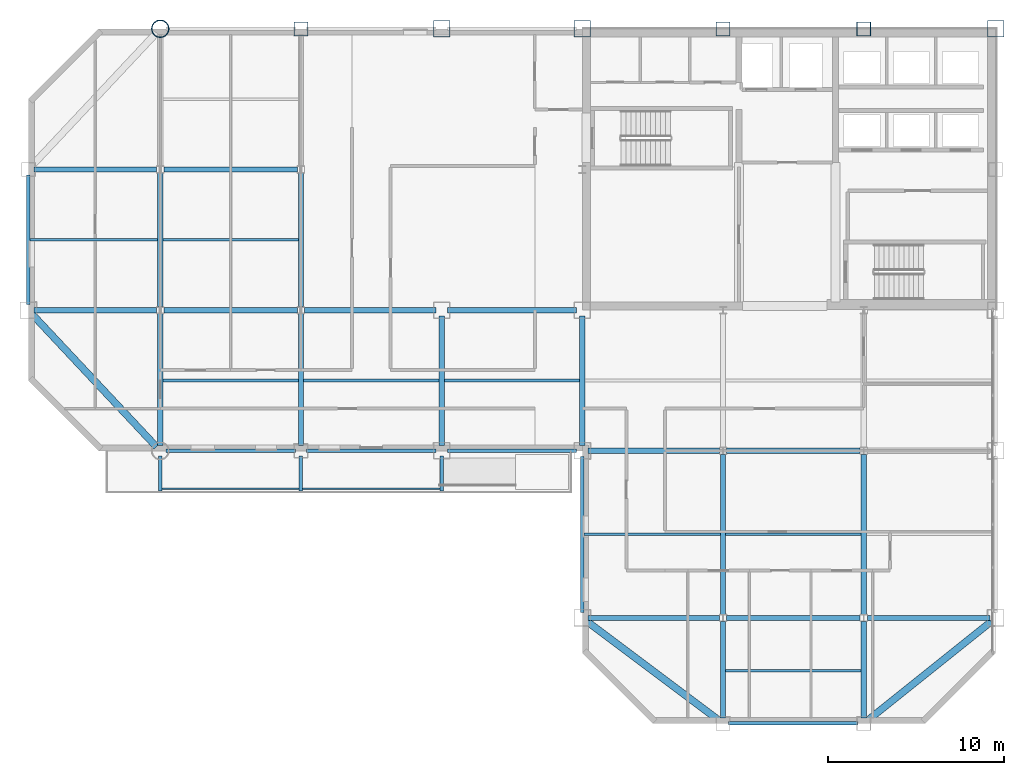
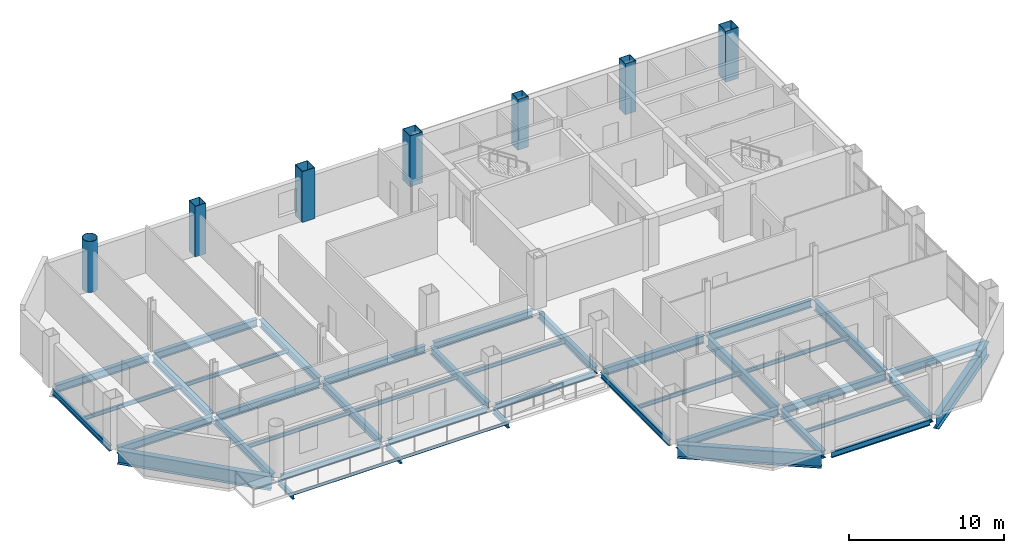
# One storey, part 3 of 12: 43 beams, 7 columns.
"""IFC4 building model written with IfcOpenShell, lengths in metres."""

from ifc_helpers import new_model, si_unit, direction, frame, origin, origin_2d, place, context, subcontext, project, spatial, hollow_rectangle, hollow_circle, i_section, extrude, material, material_profile, profile_set, type_object, element, save


model = new_model("IFC4")

# Units and contexts
model_context = context("Model", 3, precision=1e-05, world=origin(), true_north=direction((0.0, 1.0)))
body_context = subcontext(model_context, "Body", "Model", "MODEL_VIEW")
ifc_project = project(units=[si_unit("LENGTHUNIT", "METRE"), si_unit("AREAUNIT", "SQUARE_METRE"), si_unit("VOLUMEUNIT", "CUBIC_METRE"), si_unit("PLANEANGLEUNIT", "RADIAN"), si_unit("MASSUNIT", "GRAM", prefix="KILO")], contexts=[model_context])

# Site, building, storey
site_placement = place(None, origin())
site = spatial("IfcSite", under=ifc_project, at=site_placement, CompositionType="ELEMENT")
building_placement = place(site_placement, origin())
building = spatial("IfcBuilding", under=site, at=building_placement, Name="Qianrong Seaharbour Tower", CompositionType="ELEMENT")
storey_placement = place(building_placement, frame((0.0, 0.0, 205.800048828125)))
storey = spatial("IfcBuildingStorey", under=building, at=storey_placement, Name="L49", CompositionType="ELEMENT", Elevation=205.800048828125)

# Columns
ifc_material_1 = material(Name="Structural steel SN490B", Category="steel")
ifc_material_profile_1 = material_profile(ifc_material_1, hollow_rectangle(XDim=0.949951171875, YDim=0.949951171875, WallThickness=0.035888671875, at=origin_2d()), Name="BOX950x950x36")
ifc_profile_set_1 = profile_set([ifc_material_profile_1], Name="Structural steel SN490B")
column_type_1 = type_object("IfcColumnType", Name="COL-CFT-950", PredefinedType="COLUMN", material=ifc_profile_set_1)
for number, where, z_axis, x_axis, name in (
    (1, (32.5, 52.0, 0.0), (0.0, 0.0, 1.0), (1.0, 0.0, 0.0), "L49 Column MC-4 at G5/GH"),
    (2, (40.5, 52.0, 0.0), (0.0, 0.0, 1.0), (1.0, 0.0, 0.0), "L49 Column MC-4 at G6/GH"),
    (3, (64.0, 52.0, 0.0), (0.0, 0.0, 1.0), (1.0, 0.0, 0.0), "L49 Column MC-4 at G9/GH"),
):
    element("IfcColumn", number, at=place(storey_placement, frame(where, z_axis=z_axis, x_axis=x_axis)), inside=storey, type_object=column_type_1, Name=name, PredefinedType="COLUMN", context=body_context, shape_type="SweptSolid", body=[
        extrude(hollow_rectangle(XDim=0.949951171875, YDim=0.949951171875, WallThickness=0.035888671875, at=origin_2d()), origin(), (0.0, 0.0, 1.0), 4.0),
    ])
ifc_material_profile_2 = material_profile(ifc_material_1, hollow_circle(Radius=0.5, WallThickness=0.035888671875, at=origin_2d()), Name="CHS1000x36")
ifc_profile_set_2 = profile_set([ifc_material_profile_2], Name="Structural steel SN490B")
column_type_2 = type_object("IfcColumnType", Name="COL-CHS-1000", PredefinedType="COLUMN", material=ifc_profile_set_2)
column_placement = place(storey_placement, frame((16.5, 52.0, 0.0), z_axis=(0.0, 0.0, 1.0), x_axis=(1.0, 0.0, 0.0)))
element("IfcColumn", 4, at=column_placement, inside=storey, type_object=column_type_2, Name="L49 Column CC-2 at G3/GH", PredefinedType="COLUMN", context=body_context, shape_type="SweptSolid", body=[
    extrude(hollow_circle(Radius=0.5, WallThickness=0.035888671875, at=origin_2d()), origin(), (0.0, 0.0, 1.0), 4.0),
])
ifc_material_profile_3 = material_profile(ifc_material_1, hollow_rectangle(XDim=0.800048828125, YDim=0.800048828125, WallThickness=0.031982421875, at=origin_2d()), Name="BOX800x800x32")
ifc_profile_set_3 = profile_set([ifc_material_profile_3], Name="Structural steel SN490B")
column_type_3 = type_object("IfcColumnType", Name="COL-PER-800", PredefinedType="COLUMN", material=ifc_profile_set_3)
for number, where, z_axis, x_axis, name in (
    (5, (24.5, 52.0, 0.0), (0.0, 0.0, 1.0), (1.0, 0.0, 0.0), "L49 Column PC-3 at G4/GH"),
    (6, (48.5, 52.0, 0.0), (0.0, 0.0, 1.0), (1.0, 0.0, 0.0), "L49 Column PC-3 at G7/GH"),
    (7, (56.5, 52.0, 0.0), (0.0, 0.0, 1.0), (1.0, 0.0, 0.0), "L49 Column PC-3 at G8/GH"),
):
    element("IfcColumn", number, at=place(storey_placement, frame(where, z_axis=z_axis, x_axis=x_axis)), inside=storey, type_object=column_type_3, Name=name, PredefinedType="COLUMN", context=body_context, shape_type="SweptSolid", body=[
        extrude(hollow_rectangle(XDim=0.800048828125, YDim=0.800048828125, WallThickness=0.031982421875, at=origin_2d()), origin(), (0.0, 0.0, 1.0), 4.0),
    ])

# Beams
ifc_material_profile_4 = material_profile(ifc_material_1, i_section(OverallWidth=0.300048828125, OverallDepth=0.587890625, WebThickness=0.011962890625, FlangeThickness=0.02001953125, FilletRadius=0.02392578125, at=origin_2d()), Name="H588x300x12x20")
ifc_profile_set_4 = profile_set([ifc_material_profile_4], Name="Structural steel SN490B")
beam_type_1 = type_object("IfcBeamType", Name="BM-G-588", PredefinedType="BEAM", material=ifc_profile_set_4)
beam_1_placement = place(storey_placement, frame((40.820068359375, 18.5, -0.51904296875), z_axis=(1.0, 0.0, 0.0), x_axis=(0.0, 1.0, 0.0)))
element("IfcBeam", 8, at=beam_1_placement, inside=storey, type_object=beam_type_1, Name="L49 Primary Girder GD G6-G7", PredefinedType="BEAM", context=body_context, shape_type="SweptSolid", body=[
    extrude(i_section(OverallWidth=0.300048828125, OverallDepth=0.587890625, WebThickness=0.011962890625, FlangeThickness=0.02001953125, FilletRadius=0.02392578125, at=origin_2d()), origin(), (0.0, 0.0, 1.0), 7.47998046875),
])
beam_2_placement = place(storey_placement, frame((48.699951171875, 18.5, -0.51904296875), z_axis=(1.0, 0.0, 0.0), x_axis=(0.0, 1.0, 0.0)))
element("IfcBeam", 9, at=beam_2_placement, inside=storey, type_object=beam_type_1, Name="L49 Primary Girder GD G7-G8", PredefinedType="BEAM", context=body_context, shape_type="SweptSolid", body=[
    extrude(i_section(OverallWidth=0.300048828125, OverallDepth=0.587890625, WebThickness=0.011962890625, FlangeThickness=0.02001953125, FilletRadius=0.02392578125, at=origin_2d()), origin(), (0.0, 0.0, 1.0), 7.60009765625),
])
beam_3_placement = place(storey_placement, frame((56.699951171875, 18.5, -0.51904296875), z_axis=(1.0, 0.0, 0.0), x_axis=(0.0, 1.0, 0.0)))
element("IfcBeam", 10, at=beam_3_placement, inside=storey, type_object=beam_type_1, Name="L49 Primary Girder GD G8-G9", PredefinedType="BEAM", context=body_context, shape_type="SweptSolid", body=[
    extrude(i_section(OverallWidth=0.300048828125, OverallDepth=0.587890625, WebThickness=0.011962890625, FlangeThickness=0.02001953125, FilletRadius=0.02392578125, at=origin_2d()), origin(), (0.0, 0.0, 1.0), 6.97998046875),
])
beam_4_placement = place(storey_placement, frame((40.820068359375, 28.0, -0.51904296875), z_axis=(1.0, 0.0, 0.0), x_axis=(0.0, 1.0, 0.0)))
element("IfcBeam", 11, at=beam_4_placement, inside=storey, type_object=beam_type_1, Name="L49 Primary Girder GE G6-G7", PredefinedType="BEAM", context=body_context, shape_type="SweptSolid", body=[
    extrude(i_section(OverallWidth=0.300048828125, OverallDepth=0.587890625, WebThickness=0.011962890625, FlangeThickness=0.02001953125, FilletRadius=0.02392578125, at=origin_2d()), origin(), (0.0, 0.0, 1.0), 7.47998046875),
])
beam_5_placement = place(storey_placement, frame((48.699951171875, 28.0, -0.51904296875), z_axis=(1.0, 0.0, 0.0), x_axis=(0.0, 1.0, 0.0)))
element("IfcBeam", 12, at=beam_5_placement, inside=storey, type_object=beam_type_1, Name="L49 Primary Girder GE G7-G8", PredefinedType="BEAM", context=body_context, shape_type="SweptSolid", body=[
    extrude(i_section(OverallWidth=0.300048828125, OverallDepth=0.587890625, WebThickness=0.011962890625, FlangeThickness=0.02001953125, FilletRadius=0.02392578125, at=origin_2d()), origin(), (0.0, 0.0, 1.0), 7.60009765625),
])
beam_6_placement = place(storey_placement, frame((9.320068359375, 36.0, -0.51904296875), z_axis=(1.0, 0.0, 0.0), x_axis=(0.0, 1.0, 0.0)))
element("IfcBeam", 13, at=beam_6_placement, inside=storey, type_object=beam_type_1, Name="L49 Primary Girder GF G2-G3", PredefinedType="BEAM", context=body_context, shape_type="SweptSolid", body=[
    extrude(i_section(OverallWidth=0.300048828125, OverallDepth=0.587890625, WebThickness=0.011962890625, FlangeThickness=0.02001953125, FilletRadius=0.02392578125, at=origin_2d()), origin(), (0.0, 0.0, 1.0), 6.97998046875),
])
beam_7_placement = place(storey_placement, frame((16.699951171875, 36.0, -0.51904296875), z_axis=(1.0, 0.0, 0.0), x_axis=(0.0, 1.0, 0.0)))
element("IfcBeam", 14, at=beam_7_placement, inside=storey, type_object=beam_type_1, Name="L49 Primary Girder GF G3-G4", PredefinedType="BEAM", context=body_context, shape_type="SweptSolid", body=[
    extrude(i_section(OverallWidth=0.300048828125, OverallDepth=0.587890625, WebThickness=0.011962890625, FlangeThickness=0.02001953125, FilletRadius=0.02392578125, at=origin_2d()), origin(), (0.0, 0.0, 1.0), 7.60009765625),
])
beam_8_placement = place(storey_placement, frame((24.699951171875, 36.0, -0.51904296875), z_axis=(1.0, 0.0, 0.0), x_axis=(0.0, 1.0, 0.0)))
element("IfcBeam", 15, at=beam_8_placement, inside=storey, type_object=beam_type_1, Name="L49 Primary Girder GF G4-G5", PredefinedType="BEAM", context=body_context, shape_type="SweptSolid", body=[
    extrude(i_section(OverallWidth=0.300048828125, OverallDepth=0.587890625, WebThickness=0.011962890625, FlangeThickness=0.02001953125, FilletRadius=0.02392578125, at=origin_2d()), origin(), (0.0, 0.0, 1.0), 7.47998046875),
])
beam_9_placement = place(storey_placement, frame((32.820068359375, 36.0, -0.51904296875), z_axis=(1.0, 0.0, 0.0), x_axis=(0.0, 1.0, 0.0)))
element("IfcBeam", 16, at=beam_9_placement, inside=storey, type_object=beam_type_1, Name="L49 Primary Girder GF G5-G6", PredefinedType="BEAM", context=body_context, shape_type="SweptSolid", body=[
    extrude(i_section(OverallWidth=0.300048828125, OverallDepth=0.587890625, WebThickness=0.011962890625, FlangeThickness=0.02001953125, FilletRadius=0.02392578125, at=origin_2d()), origin(), (0.0, 0.0, 1.0), 7.35986328125),
])
beam_10_placement = place(storey_placement, frame((9.320068359375, 44.0, -0.51904296875), z_axis=(1.0, 0.0, 0.0), x_axis=(0.0, 1.0, 0.0)))
element("IfcBeam", 17, at=beam_10_placement, inside=storey, type_object=beam_type_1, Name="L49 Primary Girder GG G2-G3", PredefinedType="BEAM", context=body_context, shape_type="SweptSolid", body=[
    extrude(i_section(OverallWidth=0.300048828125, OverallDepth=0.587890625, WebThickness=0.011962890625, FlangeThickness=0.02001953125, FilletRadius=0.02392578125, at=origin_2d()), origin(), (0.0, 0.0, 1.0), 6.97998046875),
])
beam_11_placement = place(storey_placement, frame((16.699951171875, 44.0, -0.51904296875), z_axis=(1.0, 0.0, 0.0), x_axis=(0.0, 1.0, 0.0)))
element("IfcBeam", 18, at=beam_11_placement, inside=storey, type_object=beam_type_1, Name="L49 Primary Girder GG G3-G4", PredefinedType="BEAM", context=body_context, shape_type="SweptSolid", body=[
    extrude(i_section(OverallWidth=0.300048828125, OverallDepth=0.587890625, WebThickness=0.011962890625, FlangeThickness=0.02001953125, FilletRadius=0.02392578125, at=origin_2d()), origin(), (0.0, 0.0, 1.0), 7.60009765625),
])
beam_12_placement = place(storey_placement, frame((16.5, 28.320068359375, -0.51904296875), z_axis=(0.0, 1.0, 0.0), x_axis=(-1.0, 0.0, 0.0)))
element("IfcBeam", 19, at=beam_12_placement, inside=storey, type_object=beam_type_1, Name="L49 Primary Girder G3 GE-GF", PredefinedType="BEAM", context=body_context, shape_type="SweptSolid", body=[
    extrude(i_section(OverallWidth=0.300048828125, OverallDepth=0.587890625, WebThickness=0.011962890625, FlangeThickness=0.02001953125, FilletRadius=0.02392578125, at=origin_2d()), origin(), (0.0, 0.0, 1.0), 7.47998046875),
])
beam_13_placement = place(storey_placement, frame((16.5, 36.199951171875, -0.51904296875), z_axis=(0.0, 1.0, 0.0), x_axis=(-1.0, 0.0, 0.0)))
element("IfcBeam", 20, at=beam_13_placement, inside=storey, type_object=beam_type_1, Name="L49 Primary Girder G3 GF-GG", PredefinedType="BEAM", context=body_context, shape_type="SweptSolid", body=[
    extrude(i_section(OverallWidth=0.300048828125, OverallDepth=0.587890625, WebThickness=0.011962890625, FlangeThickness=0.02001953125, FilletRadius=0.02392578125, at=origin_2d()), origin(), (0.0, 0.0, 1.0), 7.60009765625),
])
beam_14_placement = place(storey_placement, frame((24.5, 28.320068359375, -0.51904296875), z_axis=(0.0, 1.0, 0.0), x_axis=(-1.0, 0.0, 0.0)))
element("IfcBeam", 21, at=beam_14_placement, inside=storey, type_object=beam_type_1, Name="L49 Primary Girder G4 GE-GF", PredefinedType="BEAM", context=body_context, shape_type="SweptSolid", body=[
    extrude(i_section(OverallWidth=0.300048828125, OverallDepth=0.587890625, WebThickness=0.011962890625, FlangeThickness=0.02001953125, FilletRadius=0.02392578125, at=origin_2d()), origin(), (0.0, 0.0, 1.0), 7.47998046875),
])
beam_15_placement = place(storey_placement, frame((24.5, 36.199951171875, -0.51904296875), z_axis=(0.0, 1.0, 0.0), x_axis=(-1.0, 0.0, 0.0)))
element("IfcBeam", 22, at=beam_15_placement, inside=storey, type_object=beam_type_1, Name="L49 Primary Girder G4 GF-GG", PredefinedType="BEAM", context=body_context, shape_type="SweptSolid", body=[
    extrude(i_section(OverallWidth=0.300048828125, OverallDepth=0.587890625, WebThickness=0.011962890625, FlangeThickness=0.02001953125, FilletRadius=0.02392578125, at=origin_2d()), origin(), (0.0, 0.0, 1.0), 7.60009765625),
])
for number, where, z_axis, x_axis, name in (
    (23, (32.5, 28.320068359375, -0.51904296875), (0.0, 1.0, 0.0), (-1.0, 0.0, 0.0), "L49 Primary Girder G5 GE-GF"),
    (24, (40.5, 28.320068359375, -0.51904296875), (0.0, 1.0, 0.0), (-1.0, 0.0, 0.0), "L49 Primary Girder G6 GE-GF"),
):
    element("IfcBeam", number, at=place(storey_placement, frame(where, z_axis=z_axis, x_axis=x_axis)), inside=storey, type_object=beam_type_1, Name=name, PredefinedType="BEAM", context=body_context, shape_type="SweptSolid", body=[
        extrude(i_section(OverallWidth=0.300048828125, OverallDepth=0.587890625, WebThickness=0.011962890625, FlangeThickness=0.02001953125, FilletRadius=0.02392578125, at=origin_2d()), origin(), (0.0, 0.0, 1.0), 7.35986328125),
    ])
for number, where, z_axis, x_axis, name in (
    (25, (48.5, 12.820068359375, -0.51904296875), (0.0, 1.0, 0.0), (-1.0, 0.0, 0.0), "L49 Primary Girder G7 GC-GD"),
    (26, (56.5, 12.820068359375, -0.51904296875), (0.0, 1.0, 0.0), (-1.0, 0.0, 0.0), "L49 Primary Girder G8 GC-GD"),
):
    element("IfcBeam", number, at=place(storey_placement, frame(where, z_axis=z_axis, x_axis=x_axis)), inside=storey, type_object=beam_type_1, Name=name, PredefinedType="BEAM", context=body_context, shape_type="SweptSolid", body=[
        extrude(i_section(OverallWidth=0.300048828125, OverallDepth=0.587890625, WebThickness=0.011962890625, FlangeThickness=0.02001953125, FilletRadius=0.02392578125, at=origin_2d()), origin(), (0.0, 0.0, 1.0), 5.47998046875),
    ])
ifc_material_profile_5 = material_profile(ifc_material_1, i_section(OverallWidth=0.300048828125, OverallDepth=0.800048828125, WebThickness=0.013916015625, FlangeThickness=0.02587890625, FilletRadius=0.028076171875, at=origin_2d()), Name="H800x300x14x26")
ifc_profile_set_5 = profile_set([ifc_material_profile_5], Name="Structural steel SN490B")
beam_type_2 = type_object("IfcBeamType", Name="BM-G-800", PredefinedType="BEAM", material=ifc_profile_set_5)
for number, where, z_axis, x_axis, name in (
    (27, (48.5, 18.699951171875, -0.625), (0.0, 1.0, 0.0), (-1.0, 0.0, 0.0), "L49 Primary Girder G7 GD-GE"),
    (28, (56.5, 18.699951171875, -0.625), (0.0, 1.0, 0.0), (-1.0, 0.0, 0.0), "L49 Primary Girder G8 GD-GE"),
):
    element("IfcBeam", number, at=place(storey_placement, frame(where, z_axis=z_axis, x_axis=x_axis)), inside=storey, type_object=beam_type_2, Name=name, PredefinedType="BEAM", context=body_context, shape_type="SweptSolid", body=[
        extrude(i_section(OverallWidth=0.300048828125, OverallDepth=0.800048828125, WebThickness=0.013916015625, FlangeThickness=0.02587890625, FilletRadius=0.028076171875, at=origin_2d()), origin(), (0.0, 0.0, 1.0), 9.10009765625),
    ])
ifc_material_2 = material(Name="Structural steel SN400B", Category="steel")
ifc_material_profile_6 = material_profile(ifc_material_2, i_section(OverallWidth=0.14990234375, OverallDepth=0.300048828125, WebThickness=0.006591796875, FlangeThickness=0.009033203125, FilletRadius=0.012939453125, at=origin_2d()), Name="H300x150x6.5x9")
ifc_profile_set_6 = profile_set([ifc_material_profile_6], Name="Structural steel SN400B")
beam_type_3 = type_object("IfcBeamType", Name="BM-J-300", PredefinedType="JOIST", material=ifc_profile_set_6)
beam_16_placement = place(storey_placement, frame((9.10009765625, 40.0, -0.375), z_axis=(1.0, 0.0, 0.0), x_axis=(0.0, 1.0, 0.0)))
element("IfcBeam", 29, at=beam_16_placement, inside=storey, type_object=beam_type_3, Name="L49 Composite Floor Joist G2-G3/GF-GG", PredefinedType="JOIST", context=body_context, shape_type="SweptSolid", body=[
    extrude(i_section(OverallWidth=0.14990234375, OverallDepth=0.300048828125, WebThickness=0.006591796875, FlangeThickness=0.009033203125, FilletRadius=0.012939453125, at=origin_2d()), origin(), (0.0, 0.0, 1.0), 7.25),
])
for number, where, z_axis, x_axis, name in (
    (30, (16.64990234375, 32.0, -0.375), (1.0, 0.0, 0.0), (0.0, 1.0, 0.0), "L49 Composite Floor Joist G3-G4/GE-GF"),
    (31, (16.64990234375, 40.0, -0.375), (1.0, 0.0, 0.0), (0.0, 1.0, 0.0), "L49 Composite Floor Joist G3-G4/GF-GG"),
    (32, (24.64990234375, 32.0, -0.375), (1.0, 0.0, 0.0), (0.0, 1.0, 0.0), "L49 Composite Floor Joist G4-G5/GE-GF"),
    (33, (32.64990234375, 32.0, -0.375), (1.0, 0.0, 0.0), (0.0, 1.0, 0.0), "L49 Composite Floor Joist G5-G6/GE-GF"),
):
    element("IfcBeam", number, at=place(storey_placement, frame(where, z_axis=z_axis, x_axis=x_axis)), inside=storey, type_object=beam_type_3, Name=name, PredefinedType="JOIST", context=body_context, shape_type="SweptSolid", body=[
        extrude(i_section(OverallWidth=0.14990234375, OverallDepth=0.300048828125, WebThickness=0.006591796875, FlangeThickness=0.009033203125, FilletRadius=0.012939453125, at=origin_2d()), origin(), (0.0, 0.0, 1.0), 7.7001953125),
    ])
beam_17_placement = place(storey_placement, frame((40.60009765625, 23.25, -0.375), z_axis=(1.0, 0.0, 0.0), x_axis=(0.0, 1.0, 0.0)))
element("IfcBeam", 34, at=beam_17_placement, inside=storey, type_object=beam_type_3, Name="L49 Composite Floor Joist G6-G7/GD-GE", PredefinedType="JOIST", context=body_context, shape_type="SweptSolid", body=[
    extrude(i_section(OverallWidth=0.14990234375, OverallDepth=0.300048828125, WebThickness=0.006591796875, FlangeThickness=0.009033203125, FilletRadius=0.012939453125, at=origin_2d()), origin(), (0.0, 0.0, 1.0), 7.75),
])
for number, where, z_axis, x_axis, name in (
    (35, (48.64990234375, 15.5, -0.375), (1.0, 0.0, 0.0), (0.0, 1.0, 0.0), "L49 Composite Floor Joist G7-G8/GC-GD"),
    (36, (48.64990234375, 23.25, -0.375), (1.0, 0.0, 0.0), (0.0, 1.0, 0.0), "L49 Composite Floor Joist G7-G8/GD-GE"),
):
    element("IfcBeam", number, at=place(storey_placement, frame(where, z_axis=z_axis, x_axis=x_axis)), inside=storey, type_object=beam_type_3, Name=name, PredefinedType="JOIST", context=body_context, shape_type="SweptSolid", body=[
        extrude(i_section(OverallWidth=0.14990234375, OverallDepth=0.300048828125, WebThickness=0.006591796875, FlangeThickness=0.009033203125, FilletRadius=0.012939453125, at=origin_2d()), origin(), (0.0, 0.0, 1.0), 7.7001953125),
    ])
ifc_material_profile_7 = material_profile(ifc_material_2, i_section(OverallWidth=0.10009765625, OverallDepth=0.199951171875, WebThickness=0.005615234375, FlangeThickness=0.008056640625, FilletRadius=0.010986328125, at=origin_2d()), Name="H200x100x5.5x8")
ifc_profile_set_7 = profile_set([ifc_material_profile_7], Name="Structural steel SN400B")
beam_type_4 = type_object("IfcBeamType", Name="BM-PURLIN-200", PredefinedType="JOIST", material=ifc_profile_set_7)
for number, where, z_axis, x_axis, name in (
    (37, (16.60009765625, 25.840087890625, -0.324951171875), (1.0, 0.0, 0.0), (0.0, 1.0, 0.0), "L49 Harbourfront Ribbon Edge Beam G4"),
    (38, (24.60009765625, 25.840087890625, -0.324951171875), (1.0, 0.0, 0.0), (0.0, 1.0, 0.0), "L49 Harbourfront Ribbon Edge Beam G5"),
):
    element("IfcBeam", number, at=place(storey_placement, frame(where, z_axis=z_axis, x_axis=x_axis)), inside=storey, type_object=beam_type_4, Name=name, PredefinedType="JOIST", context=body_context, shape_type="SweptSolid", body=[
        extrude(i_section(OverallWidth=0.10009765625, OverallDepth=0.199951171875, WebThickness=0.005615234375, FlangeThickness=0.008056640625, FilletRadius=0.010986328125, at=origin_2d()), origin(), (0.0, 0.0, 1.0), 7.7998046875),
    ])
ifc_material_profile_8 = material_profile(ifc_material_1, i_section(OverallWidth=0.199951171875, OverallDepth=0.449951171875, WebThickness=0.009033203125, FlangeThickness=0.013916015625, FilletRadius=0.01806640625, at=origin_2d()), Name="H450x200x9x14")
ifc_profile_set_8 = profile_set([ifc_material_profile_8], Name="Structural steel SN490B")
beam_type_5 = type_object("IfcBeamType", Name="BM-RIB-450", PredefinedType="BEAM", material=ifc_profile_set_8)
for number, where, z_axis, x_axis, name in (
    (39, (16.5, 27.699951171875, -0.449951171875), (0.0, -1.0, 0.0), (1.0, 0.0, 0.0), "L49 Harbourfront Ribbon Cantilever Bracket G3"),
    (40, (24.5, 27.699951171875, -0.449951171875), (0.0, -1.0, 0.0), (1.0, 0.0, 0.0), "L49 Harbourfront Ribbon Cantilever Bracket G4"),
    (41, (32.5, 27.699951171875, -0.449951171875), (0.0, -1.0, 0.0), (1.0, 0.0, 0.0), "L49 Harbourfront Ribbon Cantilever Bracket G5"),
):
    element("IfcBeam", number, at=place(storey_placement, frame(where, z_axis=z_axis, x_axis=x_axis)), inside=storey, type_object=beam_type_5, Name=name, PredefinedType="BEAM", context=body_context, shape_type="SweptSolid", body=[
        extrude(i_section(OverallWidth=0.199951171875, OverallDepth=0.449951171875, WebThickness=0.009033203125, FlangeThickness=0.013916015625, FilletRadius=0.01806640625, at=origin_2d()), origin(), (0.0, 0.0, 1.0), 1.97998046875),
    ])
ifc_material_profile_9 = material_profile(ifc_material_2, i_section(OverallWidth=0.199951171875, OverallDepth=0.449951171875, WebThickness=0.009033203125, FlangeThickness=0.013916015625, FilletRadius=0.01806640625, at=origin_2d()), Name="H450x200x9x14")
ifc_profile_set_9 = profile_set([ifc_material_profile_9], Name="Structural steel SN400B")
beam_type_6 = type_object("IfcBeamType", Name="BM-SP-450", PredefinedType="SPANDREL", material=ifc_profile_set_9)
for number, where, z_axis, x_axis, name in (
    (42, (48.820068359375, 12.5, -0.449951171875), (1.0, 0.0, 0.0), (0.0, 1.0, 0.0), "L49 Spandrel Girder GC G7-G8"),
    (43, (16.820068359375, 28.0, -0.449951171875), (1.0, 0.0, 0.0), (0.0, 1.0, 0.0), "L49 Spandrel Girder GE G3-G4"),
    (44, (24.820068359375, 28.0, -0.449951171875), (1.0, 0.0, 0.0), (0.0, 1.0, 0.0), "L49 Spandrel Girder GE G4-G5"),
    (45, (32.820068359375, 28.0, -0.449951171875), (1.0, 0.0, 0.0), (0.0, 1.0, 0.0), "L49 Spandrel Girder GE G5-G6"),
    (46, (9.0, 36.320068359375, -0.449951171875), (0.0, 1.0, 0.0), (-1.0, 0.0, 0.0), "L49 Spandrel Girder G2 GF-GG"),
):
    element("IfcBeam", number, at=place(storey_placement, frame(where, z_axis=z_axis, x_axis=x_axis)), inside=storey, type_object=beam_type_6, Name=name, PredefinedType="SPANDREL", context=body_context, shape_type="SweptSolid", body=[
        extrude(i_section(OverallWidth=0.199951171875, OverallDepth=0.449951171875, WebThickness=0.009033203125, FlangeThickness=0.013916015625, FilletRadius=0.01806640625, at=origin_2d()), origin(), (0.0, 0.0, 1.0), 7.35986328125),
    ])
beam_18_placement = place(storey_placement, frame((40.5, 18.820068359375, -0.449951171875), z_axis=(0.0, 1.0, 0.0), x_axis=(-1.0, 0.0, 0.0)))
element("IfcBeam", 47, at=beam_18_placement, inside=storey, type_object=beam_type_6, Name="L49 Spandrel Girder G6 GD-GE", PredefinedType="SPANDREL", context=body_context, shape_type="SweptSolid", body=[
    extrude(i_section(OverallWidth=0.199951171875, OverallDepth=0.449951171875, WebThickness=0.009033203125, FlangeThickness=0.013916015625, FilletRadius=0.01806640625, at=origin_2d()), origin(), (0.0, 0.0, 1.0), 8.85986328125),
])
ifc_material_profile_10 = material_profile(ifc_material_1, i_section(OverallWidth=0.39990234375, OverallDepth=1.10009765625, WebThickness=0.02001953125, FlangeThickness=0.035888671875, at=origin_2d()), Name="BH1100x400x20x36")
ifc_profile_set_10 = profile_set([ifc_material_profile_10], Name="Structural steel SN490B")
beam_type_7 = type_object("IfcBeamType", Name="BM-TG-1100", PredefinedType="BEAM", material=ifc_profile_set_10)
beam_19_placement = place(storey_placement, frame((16.28125, 28.2333984375, -0.775146484375), z_axis=(-0.683947420573, 0.729531305628, 0.0), x_axis=(-0.729531305628, -0.683947420573, 0.0)))
element("IfcBeam", 48, at=beam_19_placement, inside=storey, type_object=beam_type_7, Name="L49 Chamfer Corner Spandrel Girder G2/GE", PredefinedType="BEAM", context=body_context, shape_type="SweptSolid", body=[
    extrude(i_section(OverallWidth=0.39990234375, OverallDepth=1.10009765625, WebThickness=0.02001953125, FlangeThickness=0.035888671875, at=origin_2d()), origin(), (0.0, 0.0, 1.0), 10.326171875),
])
beam_20_placement = place(storey_placement, frame((48.243896484375, 12.69189453125, -0.775146484375), z_axis=(-0.799981219482, 0.600025039875, 0.0), x_axis=(-0.600025039875, -0.799981219482, 0.0)))
element("IfcBeam", 49, at=beam_20_placement, inside=storey, type_object=beam_type_7, Name="L49 Chamfer Corner Spandrel Girder G6/GC", PredefinedType="BEAM", context=body_context, shape_type="SweptSolid", body=[
    extrude(i_section(OverallWidth=0.39990234375, OverallDepth=1.10009765625, WebThickness=0.02001953125, FlangeThickness=0.035888671875, at=origin_2d()), origin(), (0.0, 0.0, 1.0), 9.35986328125),
])
beam_21_placement = place(storey_placement, frame((56.75, 12.699951171875, -0.775146484375), z_axis=(0.780863495394, 0.624701690058, 0.0), x_axis=(-0.624701690058, 0.780863495394, 0.0)))
element("IfcBeam", 50, at=beam_21_placement, inside=storey, type_object=beam_type_7, Name="L49 Chamfer Corner Spandrel Girder G9/GC", PredefinedType="BEAM", context=body_context, shape_type="SweptSolid", body=[
    extrude(i_section(OverallWidth=0.39990234375, OverallDepth=1.10009765625, WebThickness=0.02001953125, FlangeThickness=0.035888671875, at=origin_2d()), origin(), (0.0, 0.0, 1.0), 8.96435546875),
])

save(model, "model.ifc")
